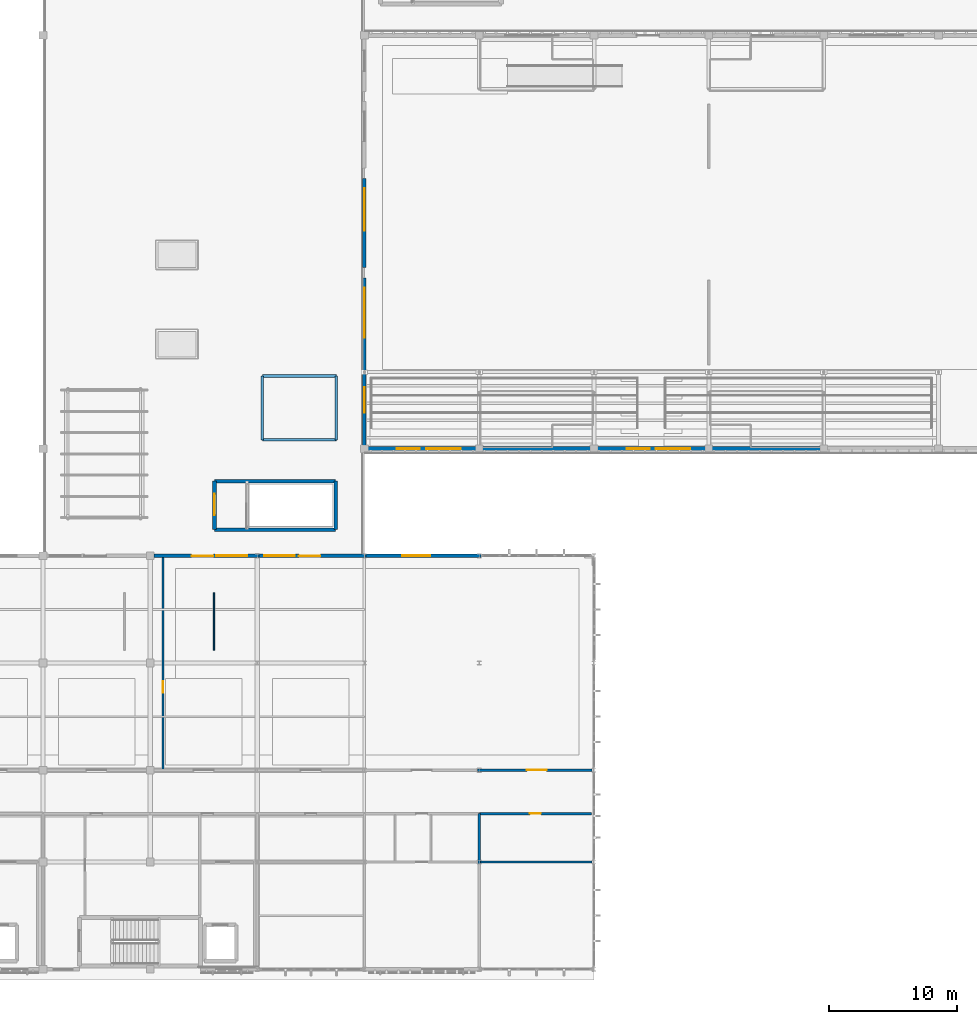
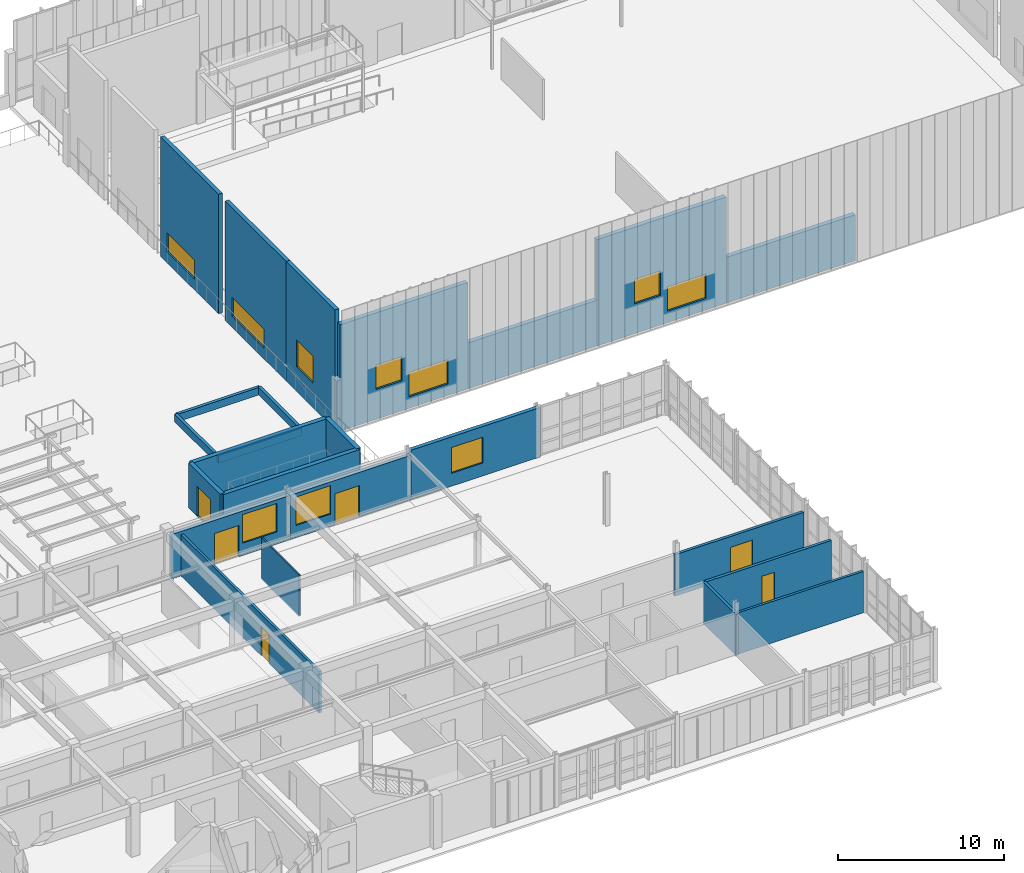
# One storey, part 45 of 67: 24 walls, 10 windows, 6 doors, 16 openings.
"""IFC4 building model written with IfcOpenShell, lengths in metres."""

from ifc_helpers import new_model, si_unit, direction, frame, frame_2d, origin, place, context, subcontext, project, spatial, rectangle, extrude, material, layer, layer_set, type_object, element, fill, save


model = new_model("IFC4")

# Units and contexts
model_context = context("Model", 3, precision=1e-05, world=origin(), true_north=direction((0.0, 1.0)))
body_context = subcontext(model_context, "Body", "Model", "MODEL_VIEW")
ifc_project = project(units=[si_unit("LENGTHUNIT", "METRE"), si_unit("AREAUNIT", "SQUARE_METRE"), si_unit("VOLUMEUNIT", "CUBIC_METRE"), si_unit("PLANEANGLEUNIT", "RADIAN"), si_unit("MASSUNIT", "GRAM", prefix="KILO")], contexts=[model_context])

# Site, building, storey
site_placement = place(None, origin())
site = spatial("IfcSite", under=ifc_project, at=site_placement, CompositionType="ELEMENT")
building_placement = place(site_placement, origin())
building = spatial("IfcBuilding", under=site, at=building_placement, Name="Tizgana Railside Sports Hall", CompositionType="ELEMENT")
storey_placement = place(building_placement, frame((0.0, 0.0, 12.0)))
storey = spatial("IfcBuildingStorey", under=building, at=storey_placement, Name="L02", CompositionType="ELEMENT", Elevation=12.0)

# Walls
ifc_material_1 = material(Name="Concrete C40/50", Category="concrete")
ifc_layer_1 = layer(ifc_material_1, 0.300048828125, Name="Concrete C40/50")
ifc_layer_set_1 = layer_set([ifc_layer_1], Name="Concrete C40/50")
wall_type_1 = type_object("IfcWallType", Name="Core Shear Wall 300", PredefinedType="SHEAR", material=ifc_layer_set_1)
for number, where, z_axis, x_axis, name in (
    (1, (77.550048828125, 34.449951171875, 0.0), (0.0, 0.0, 1.0), (-1.0, 0.0, 0.0), "L02 C10 Shaft Wall S"),
    (2, (68.050048828125, 38.25, 0.0), (0.0, 0.0, 1.0), (1.0, 0.0, 0.0), "L02 C10 Shaft Wall N"),
):
    element("IfcWall", number, at=place(storey_placement, frame(where, z_axis=z_axis, x_axis=x_axis)), inside=storey, type_object=wall_type_1, Name=name, PredefinedType="SHEAR", context=body_context, shape_type="SweptSolid", body=[
        extrude(rectangle(XDim=9.5, YDim=0.300048828125, at=frame_2d((4.75, 0.0))), origin(), (0.0, 0.0, 1.0), 3.300048828125),
    ])

# Wall, opening, door
wall_1_placement = place(storey_placement, frame((68.050048828125, 34.449951171875, 0.0), z_axis=(0.0, 0.0, 1.0), x_axis=(0.0, 1.0, 0.0)))
wall_1 = element("IfcWall", 3, at=wall_1_placement, inside=storey, type_object=wall_type_1, Name="L02 C10 Shaft Wall W", PredefinedType="SHEAR", context=body_context, shape_type="SweptSolid", body=[
    extrude(rectangle(XDim=3.800048828125, YDim=0.300048828125, at=frame_2d((1.89990234375, 0.0))), origin(), (0.0, 0.0, 1.0), 3.300048828125),
])
opening_1_placement = place(wall_1_placement, frame((1.14990234375, 0.0, 0.0)))
opening_1 = element("IfcOpeningElement", 4, at=opening_1_placement, cuts=wall_1, Name="Opening D-0101", PredefinedType="OPENING", context=body_context, shape_type="SweptSolid", body=[
    extrude(rectangle(XDim=1.64990234375, YDim=2.199951171875, at=frame_2d((0.824951171875, 1.10009765625))), frame((0.0, 0.159912109375, 0.0), z_axis=(0.0, -1.0, 0.0), x_axis=(1.0, 0.0, 0.0)), (0.0, 0.0, 1.0), 0.320068359375),
])
ifc_material_2 = material(Name="Timber fire leaf", Category="wood")
door_type_1 = type_object("IfcDoorType", Name="Stair Core Double Fire Door 1650x2200", OperationType="NOTDEFINED", PredefinedType="DOOR", material=ifc_material_2)
door_1_placement = place(opening_1_placement, origin())
door_1 = element("IfcDoor", 5, at=door_1_placement, inside=storey, type_object=door_type_1, Name="L02 Door D-0101", OperationType="DOUBLE_DOOR_SINGLE_SWING", OverallHeight=2.199951171875, OverallWidth=1.64990234375, PredefinedType="DOOR", context=body_context, shape_type="SweptSolid", body=[
    extrude(rectangle(XDim=1.64990234375, YDim=2.199951171875, at=frame_2d((0.824951171875, 1.10009765625))), frame((0.0, 0.02490234375, 0.0), z_axis=(0.0, -1.0, 0.0), x_axis=(1.0, 0.0, 0.0)), (0.0, 0.0, 1.0), 0.050048828125),
])
fill(opening_1, door_1)

# Wall
wall_2_placement = place(storey_placement, frame((77.550048828125, 34.449951171875, 0.0), z_axis=(0.0, 0.0, 1.0), x_axis=(0.0, 1.0, 0.0)))
element("IfcWall", 6, at=wall_2_placement, inside=storey, type_object=wall_type_1, Name="L02 C10 Shaft Wall E", PredefinedType="SHEAR", context=body_context, shape_type="SweptSolid", body=[
    extrude(rectangle(XDim=3.800048828125, YDim=0.300048828125, at=frame_2d((1.89990234375, 0.0))), origin(), (0.0, 0.0, 1.0), 3.300048828125),
])

# Wall, opening, door
ifc_material_3 = material(Name="Masonry blockwork", Category="masonry")
ifc_layer_2 = layer(ifc_material_3, 0.199951171875, Name="Masonry blockwork")
ifc_layer_set_2 = layer_set([ifc_layer_2], Name="Masonry blockwork")
wall_type_2 = type_object("IfcWallType", Name="Corridor Compartment Partition 200", PredefinedType="STANDARD", material=ifc_layer_set_2)
wall_3_placement = place(storey_placement, frame((88.64501953125, 15.60009765625, 0.0), z_axis=(0.0, 0.0, 1.0), x_axis=(1.0, 0.0, 0.0)))
wall_3 = element("IfcWall", 7, at=wall_3_placement, inside=storey, type_object=wall_type_2, Name="L02 Partition PWAL-0125", PredefinedType="STANDARD", context=body_context, shape_type="SweptSolid", body=[
    extrude(rectangle(XDim=8.994873046875, YDim=0.199951171875, at=frame_2d((4.49755859375, 0.0))), origin(), (0.0, 0.0, 1.0), 3.050048828125),
])
opening_2_placement = place(wall_3_placement, frame((3.8798828125, 0.0, 0.0)))
opening_2 = element("IfcOpeningElement", 8, at=opening_2_placement, cuts=wall_3, Name="Opening D-0181", PredefinedType="OPENING", context=body_context, shape_type="SweptSolid", body=[
    extrude(rectangle(XDim=1.550048828125, YDim=2.25, at=frame_2d((0.77490234375, 1.125))), frame((0.0, 0.10986328125, 0.0), z_axis=(0.0, -1.0, 0.0), x_axis=(1.0, 0.0, 0.0)), (0.0, 0.0, 1.0), 0.219970703125),
])
ifc_material_4 = material(Name="Acoustic perforated timber", Category="wood")
door_type_2 = type_object("IfcDoorType", Name="Studio Acoustic Double Door 1550x2250", OperationType="NOTDEFINED", PredefinedType="DOOR", material=ifc_material_4)
door_2_placement = place(opening_2_placement, origin())
door_2 = element("IfcDoor", 9, at=door_2_placement, inside=storey, type_object=door_type_2, Name="L02 Door D-0181", OperationType="DOUBLE_DOOR_SINGLE_SWING", OverallHeight=2.25, OverallWidth=1.550048828125, PredefinedType="DOOR", context=body_context, shape_type="SweptSolid", body=[
    extrude(rectangle(XDim=1.550048828125, YDim=2.25, at=frame_2d((0.77490234375, 1.125))), frame((0.0, 0.02490234375, 0.0), z_axis=(0.0, -1.0, 0.0), x_axis=(1.0, 0.0, 0.0)), (0.0, 0.0, 1.0), 0.050048828125),
])
fill(opening_2, door_2)

wall_4_placement = place(storey_placement, frame((88.800048828125, 12.199951171875, 0.0), z_axis=(0.0, 0.0, 1.0), x_axis=(1.0, 0.0, 0.0)))
wall_4 = element("IfcWall", 10, at=wall_4_placement, inside=storey, type_object=wall_type_2, Name="L02 Partition PWAL-0126", PredefinedType="STANDARD", context=body_context, shape_type="SweptSolid", body=[
    extrude(rectangle(XDim=8.800048828125, YDim=0.199951171875, at=frame_2d((4.39990234375, 0.0))), origin(), (0.0, 0.0, 1.0), 3.050048828125),
])
opening_3_placement = place(wall_4_placement, frame((3.9599609375, 0.0, 0.0)))
opening_3 = element("IfcOpeningElement", 11, at=opening_3_placement, cuts=wall_4, Name="Opening D-0182", PredefinedType="OPENING", context=body_context, shape_type="SweptSolid", body=[
    extrude(rectangle(XDim=0.8798828125, YDim=2.10009765625, at=frame_2d((0.43994140625, 1.050048828125))), frame((0.0, 0.10986328125, 0.0), z_axis=(0.0, -1.0, 0.0), x_axis=(1.0, 0.0, 0.0)), (0.0, 0.0, 1.0), 0.219970703125),
])
ifc_material_5 = material(Name="Solid beech timber", Category="wood")
door_type_3 = type_object("IfcDoorType", Name="Public & Staff WC Door 880x2100", OperationType="NOTDEFINED", PredefinedType="DOOR", material=ifc_material_5)
door_3_placement = place(opening_3_placement, origin())
door_3 = element("IfcDoor", 12, at=door_3_placement, inside=storey, type_object=door_type_3, Name="L02 Door D-0182", OperationType="SINGLE_SWING_LEFT", OverallHeight=2.10009765625, OverallWidth=0.8798828125, PredefinedType="DOOR", context=body_context, shape_type="SweptSolid", body=[
    extrude(rectangle(XDim=0.8798828125, YDim=2.10009765625, at=frame_2d((0.43994140625, 1.050048828125))), frame((0.0, 0.02490234375, 0.0), z_axis=(0.0, -1.0, 0.0), x_axis=(1.0, 0.0, 0.0)), (0.0, 0.0, 1.0), 0.050048828125),
])
fill(opening_3, door_3)

# Wall, openings, windows
ifc_material_6 = material(Name="Precast concrete C40/50", Category="concrete")
ifc_layer_3 = layer(ifc_material_6, 0.31005859375, Name="Precast concrete C40/50")
ifc_layer_set_3 = layer_set([ifc_layer_3], Name="Precast concrete C40/50")
wall_type_3 = type_object("IfcWallType", Name="Exterior Acoustic Hall Wall 310", PredefinedType="STANDARD", material=ifc_layer_set_3)
wall_5_placement = place(storey_placement, frame((88.75, 40.800048828125, 0.0), z_axis=(0.0, 0.0, 1.0), x_axis=(-1.0, 0.0, 0.0)))
wall_5 = element("IfcWall", 13, at=wall_5_placement, inside=storey, type_object=wall_type_3, Name="L02 Exterior Wall EWAL-0029", PredefinedType="STANDARD", context=body_context, shape_type="SweptSolid", body=[
    extrude(rectangle(XDim=8.89990234375, YDim=0.31005859375, at=frame_2d((4.449951171875, 0.0))), origin(), (0.0, 0.0, 1.0), 7.8349609375),
])
opening_4_placement = place(wall_5_placement, frame((1.39990234375, 0.0, 0.85009765625)))
opening_4 = element("IfcOpeningElement", 14, at=opening_4_placement, cuts=wall_5, Name="Opening W-0021", PredefinedType="OPENING", context=body_context, shape_type="SweptSolid", body=[
    extrude(rectangle(XDim=2.699951171875, YDim=1.800048828125, at=frame_2d((1.35009765625, 0.89990234375))), frame((0.0, 0.1650390625, 0.0), z_axis=(0.0, -1.0, 0.0), x_axis=(1.0, 0.0, 0.0)), (0.0, 0.0, 1.0), 0.330078125),
])
opening_5_placement = place(wall_5_placement, frame((4.60009765625, 0.0, 2.199951171875)))
opening_5 = element("IfcOpeningElement", 15, at=opening_5_placement, cuts=wall_5, Name="Opening W-0022", PredefinedType="OPENING", context=body_context, shape_type="SweptSolid", body=[
    extrude(rectangle(XDim=1.800048828125, YDim=1.800048828125, at=frame_2d((0.89990234375, 0.89990234375))), frame((0.0, 0.1650390625, 0.0), z_axis=(0.0, -1.0, 0.0), x_axis=(1.0, 0.0, 0.0)), (0.0, 0.0, 1.0), 0.330078125),
])
ifc_material_7 = material(Name="Double low-E laminated glass", Category="glass")
window_type_1 = type_object("IfcWindowType", Name="Upper Hall Clustered Window 1800x1800", PartitioningType="SINGLE_PANEL", PredefinedType="WINDOW", material=ifc_material_7)
window_1_placement = place(opening_5_placement, origin())
window_1 = element("IfcWindow", 16, at=window_1_placement, inside=storey, type_object=window_type_1, Name="L02 Window W-0022", OverallHeight=1.800048828125, OverallWidth=1.800048828125, PartitioningType="SINGLE_PANEL", PredefinedType="WINDOW", context=body_context, shape_type="SweptSolid", body=[
    extrude(rectangle(XDim=1.800048828125, YDim=1.800048828125, at=frame_2d((0.89990234375, 0.89990234375))), frame((0.0, 0.030029296875, 0.0), z_axis=(0.0, -1.0, 0.0), x_axis=(1.0, 0.0, 0.0)), (0.0, 0.0, 1.0), 0.06005859375),
])
fill(opening_5, window_1)
window_type_2 = type_object("IfcWindowType", Name="Upper Hall Clustered Window 2700x1800", PartitioningType="SINGLE_PANEL", PredefinedType="WINDOW", material=ifc_material_7)
window_2_placement = place(opening_4_placement, origin())
window_2 = element("IfcWindow", 17, at=window_2_placement, inside=storey, type_object=window_type_2, Name="L02 Window W-0021", OverallHeight=1.800048828125, OverallWidth=2.699951171875, PartitioningType="SINGLE_PANEL", PredefinedType="WINDOW", context=body_context, shape_type="SweptSolid", body=[
    extrude(rectangle(XDim=2.699951171875, YDim=1.800048828125, at=frame_2d((1.35009765625, 0.89990234375))), frame((0.0, 0.030029296875, 0.0), z_axis=(0.0, -1.0, 0.0), x_axis=(1.0, 0.0, 0.0)), (0.0, 0.0, 1.0), 0.06005859375),
])
fill(opening_4, window_2)

# Wall
wall_6_placement = place(storey_placement, frame((97.75, 40.800048828125, 0.0), z_axis=(0.0, 0.0, 1.0), x_axis=(-1.0, 0.0, 0.0)))
element("IfcWall", 18, at=wall_6_placement, inside=storey, type_object=wall_type_3, Name="L02 Exterior Wall EWAL-0034", PredefinedType="STANDARD", context=body_context, shape_type="SweptSolid", body=[
    extrude(rectangle(XDim=8.9951171875, YDim=0.31005859375, at=frame_2d((4.49755859375, 0.0))), origin(), (0.0, 0.0, 1.0), 3.375),
])

# Wall, openings, windows
wall_7_placement = place(storey_placement, frame((106.75, 40.800048828125, 0.0), z_axis=(0.0, 0.0, 1.0), x_axis=(-1.0, 0.0, 0.0)))
wall_7 = element("IfcWall", 19, at=wall_7_placement, inside=storey, type_object=wall_type_3, Name="L02 Exterior Wall EWAL-0038", PredefinedType="STANDARD", context=body_context, shape_type="SweptSolid", body=[
    extrude(rectangle(XDim=8.9951171875, YDim=0.31005859375, at=frame_2d((4.49755859375, 0.0))), origin(), (0.0, 0.0, 1.0), 7.8349609375),
])
opening_6_placement = place(wall_7_placement, frame((1.39990234375, 0.0, 0.85009765625)))
opening_6 = element("IfcOpeningElement", 20, at=opening_6_placement, cuts=wall_7, Name="Opening W-0029", PredefinedType="OPENING", context=body_context, shape_type="SweptSolid", body=[
    extrude(rectangle(XDim=2.699951171875, YDim=1.800048828125, at=frame_2d((1.35009765625, 0.89990234375))), frame((0.0, 0.1650390625, 0.0), z_axis=(0.0, -1.0, 0.0), x_axis=(1.0, 0.0, 0.0)), (0.0, 0.0, 1.0), 0.330078125),
])
opening_7_placement = place(wall_7_placement, frame((4.60009765625, 0.0, 2.199951171875)))
opening_7 = element("IfcOpeningElement", 21, at=opening_7_placement, cuts=wall_7, Name="Opening W-0030", PredefinedType="OPENING", context=body_context, shape_type="SweptSolid", body=[
    extrude(rectangle(XDim=1.800048828125, YDim=1.800048828125, at=frame_2d((0.89990234375, 0.89990234375))), frame((0.0, 0.1650390625, 0.0), z_axis=(0.0, -1.0, 0.0), x_axis=(1.0, 0.0, 0.0)), (0.0, 0.0, 1.0), 0.330078125),
])
window_3_placement = place(opening_7_placement, origin())
window_3 = element("IfcWindow", 22, at=window_3_placement, inside=storey, type_object=window_type_1, Name="L02 Window W-0030", OverallHeight=1.800048828125, OverallWidth=1.800048828125, PartitioningType="SINGLE_PANEL", PredefinedType="WINDOW", context=body_context, shape_type="SweptSolid", body=[
    extrude(rectangle(XDim=1.800048828125, YDim=1.800048828125, at=frame_2d((0.89990234375, 0.89990234375))), frame((0.0, 0.030029296875, 0.0), z_axis=(0.0, -1.0, 0.0), x_axis=(1.0, 0.0, 0.0)), (0.0, 0.0, 1.0), 0.06005859375),
])
fill(opening_7, window_3)
window_4_placement = place(opening_6_placement, origin())
window_4 = element("IfcWindow", 23, at=window_4_placement, inside=storey, type_object=window_type_2, Name="L02 Window W-0029", OverallHeight=1.800048828125, OverallWidth=2.699951171875, PartitioningType="SINGLE_PANEL", PredefinedType="WINDOW", context=body_context, shape_type="SweptSolid", body=[
    extrude(rectangle(XDim=2.699951171875, YDim=1.800048828125, at=frame_2d((1.35009765625, 0.89990234375))), frame((0.0, 0.030029296875, 0.0), z_axis=(0.0, -1.0, 0.0), x_axis=(1.0, 0.0, 0.0)), (0.0, 0.0, 1.0), 0.06005859375),
])
fill(opening_6, window_4)

# Wall
wall_8_placement = place(storey_placement, frame((115.75, 40.800048828125, 0.0), z_axis=(0.0, 0.0, 1.0), x_axis=(-1.0, 0.0, 0.0)))
element("IfcWall", 24, at=wall_8_placement, inside=storey, type_object=wall_type_3, Name="L02 Exterior Wall EWAL-0043", PredefinedType="STANDARD", context=body_context, shape_type="SweptSolid", body=[
    extrude(rectangle(XDim=8.9951171875, YDim=0.31005859375, at=frame_2d((4.49755859375, 0.0))), origin(), (0.0, 0.0, 1.0), 3.375),
])

# Wall, openings, door, window
ifc_layer_4 = layer(ifc_material_6, 0.27001953125, Name="Precast concrete C40/50")
ifc_layer_set_4 = layer_set([ifc_layer_4], Name="Precast concrete C40/50")
wall_type_4 = type_object("IfcWallType", Name="Exterior Studio Facade Wall 270", PredefinedType="STANDARD", material=ifc_layer_set_4)
wall_9_placement = place(storey_placement, frame((63.2900390625, 32.39990234375, 0.0), z_axis=(0.0, 0.0, 1.0), x_axis=(1.0, 0.0, 0.0)))
wall_9 = element("IfcWall", 25, at=wall_9_placement, inside=storey, type_object=wall_type_4, Name="L02 Exterior Wall EWAL-0107", PredefinedType="STANDARD", context=body_context, shape_type="SweptSolid", body=[
    extrude(rectangle(XDim=8.244873046875, YDim=0.27001953125, at=frame_2d((4.12255859375, 0.0))), origin(), (0.0, 0.0, 1.0), 3.27099609375),
])
opening_8_placement = place(wall_9_placement, frame((2.9599609375, 0.0, 0.0)))
opening_8 = element("IfcOpeningElement", 26, at=opening_8_placement, cuts=wall_9, Name="Opening D-0025", PredefinedType="OPENING", context=body_context, shape_type="SweptSolid", body=[
    extrude(rectangle(XDim=1.699951171875, YDim=2.300048828125, at=frame_2d((0.85009765625, 1.14990234375))), frame((0.0, 0.14501953125, 0.0), z_axis=(0.0, -1.0, 0.0), x_axis=(1.0, 0.0, 0.0)), (0.0, 0.0, 1.0), 0.2900390625),
])
opening_9_placement = place(wall_9_placement, frame((4.909912109375, 0.0, 0.89990234375)))
opening_9 = element("IfcOpeningElement", 27, at=opening_9_placement, cuts=wall_9, Name="Opening W-0079", PredefinedType="OPENING", context=body_context, shape_type="SweptSolid", body=[
    extrude(rectangle(XDim=2.39990234375, YDim=2.10009765625, at=frame_2d((1.199951171875, 1.050048828125))), frame((0.0, 0.14501953125, 0.0), z_axis=(0.0, -1.0, 0.0), x_axis=(1.0, 0.0, 0.0)), (0.0, 0.0, 1.0), 0.2900390625),
])
ifc_material_8 = material(Name="Anodised aluminium and glass", Category="aluminium")
door_type_4 = type_object("IfcDoorType", Name="Planted Terrace Double Door 1700x2300", OperationType="NOTDEFINED", PredefinedType="DOOR", material=ifc_material_8)
door_4_placement = place(opening_8_placement, origin())
door_4 = element("IfcDoor", 28, at=door_4_placement, inside=storey, type_object=door_type_4, Name="L02 Door D-0025", OperationType="DOUBLE_DOOR_SINGLE_SWING", OverallHeight=2.300048828125, OverallWidth=1.699951171875, PredefinedType="DOOR", context=body_context, shape_type="SweptSolid", body=[
    extrude(rectangle(XDim=1.699951171875, YDim=2.300048828125, at=frame_2d((0.85009765625, 1.14990234375))), frame((0.0, 0.02490234375, 0.0), z_axis=(0.0, -1.0, 0.0), x_axis=(1.0, 0.0, 0.0)), (0.0, 0.0, 1.0), 0.050048828125),
])
fill(opening_8, door_4)
window_type_3 = type_object("IfcWindowType", Name="Studio Recessed Window 2400x2100", PartitioningType="SINGLE_PANEL", PredefinedType="WINDOW", material=ifc_material_7)
window_5_placement = place(opening_9_placement, origin())
window_5 = element("IfcWindow", 29, at=window_5_placement, inside=storey, type_object=window_type_3, Name="L02 Window W-0079", OverallHeight=2.10009765625, OverallWidth=2.39990234375, PartitioningType="SINGLE_PANEL", PredefinedType="WINDOW", context=body_context, shape_type="SweptSolid", body=[
    extrude(rectangle(XDim=2.39990234375, YDim=2.10009765625, at=frame_2d((1.199951171875, 1.050048828125))), frame((0.0, 0.030029296875, 0.0), z_axis=(0.0, -1.0, 0.0), x_axis=(1.0, 0.0, 0.0)), (0.0, 0.0, 1.0), 0.06005859375),
])
fill(opening_9, window_5)

wall_10_placement = place(storey_placement, frame((71.5400390625, 32.39990234375, 0.0), z_axis=(0.0, 0.0, 1.0), x_axis=(1.0, 0.0, 0.0)))
wall_10 = element("IfcWall", 30, at=wall_10_placement, inside=storey, type_object=wall_type_4, Name="L02 Exterior Wall EWAL-0108", PredefinedType="STANDARD", context=body_context, shape_type="SweptSolid", body=[
    extrude(rectangle(XDim=8.39501953125, YDim=0.27001953125, at=frame_2d((4.197509765625, 0.0))), origin(), (0.0, 0.0, 1.0), 3.27099609375),
])
opening_10_placement = place(wall_10_placement, frame((3.110107421875, 0.0, 0.0)))
opening_10 = element("IfcOpeningElement", 31, at=opening_10_placement, cuts=wall_10, Name="Opening D-0026", PredefinedType="OPENING", context=body_context, shape_type="SweptSolid", body=[
    extrude(rectangle(XDim=1.699951171875, YDim=2.300048828125, at=frame_2d((0.85009765625, 1.14990234375))), frame((0.0, 0.14501953125, 0.0), z_axis=(0.0, -1.0, 0.0), x_axis=(1.0, 0.0, 0.0)), (0.0, 0.0, 1.0), 0.2900390625),
])
opening_11_placement = place(wall_10_placement, frame((0.409912109375, 0.0, 0.89990234375)))
opening_11 = element("IfcOpeningElement", 32, at=opening_11_placement, cuts=wall_10, Name="Opening W-0080", PredefinedType="OPENING", context=body_context, shape_type="SweptSolid", body=[
    extrude(rectangle(XDim=2.39990234375, YDim=2.10009765625, at=frame_2d((1.199951171875, 1.050048828125))), frame((0.0, 0.14501953125, 0.0), z_axis=(0.0, -1.0, 0.0), x_axis=(1.0, 0.0, 0.0)), (0.0, 0.0, 1.0), 0.2900390625),
])
door_5_placement = place(opening_10_placement, origin())
door_5 = element("IfcDoor", 33, at=door_5_placement, inside=storey, type_object=door_type_4, Name="L02 Door D-0026", OperationType="DOUBLE_DOOR_SINGLE_SWING", OverallHeight=2.300048828125, OverallWidth=1.699951171875, PredefinedType="DOOR", context=body_context, shape_type="SweptSolid", body=[
    extrude(rectangle(XDim=1.699951171875, YDim=2.300048828125, at=frame_2d((0.85009765625, 1.14990234375))), frame((0.0, 0.02490234375, 0.0), z_axis=(0.0, -1.0, 0.0), x_axis=(1.0, 0.0, 0.0)), (0.0, 0.0, 1.0), 0.050048828125),
])
fill(opening_10, door_5)
window_6_placement = place(opening_11_placement, origin())
window_6 = element("IfcWindow", 34, at=window_6_placement, inside=storey, type_object=window_type_3, Name="L02 Window W-0080", OverallHeight=2.10009765625, OverallWidth=2.39990234375, PartitioningType="SINGLE_PANEL", PredefinedType="WINDOW", context=body_context, shape_type="SweptSolid", body=[
    extrude(rectangle(XDim=2.39990234375, YDim=2.10009765625, at=frame_2d((1.199951171875, 1.050048828125))), frame((0.0, 0.030029296875, 0.0), z_axis=(0.0, -1.0, 0.0), x_axis=(1.0, 0.0, 0.0)), (0.0, 0.0, 1.0), 0.06005859375),
])
fill(opening_11, window_6)

# Wall, opening, window
wall_11_placement = place(storey_placement, frame((79.93994140625, 32.39990234375, 0.0), z_axis=(0.0, 0.0, 1.0), x_axis=(1.0, 0.0, 0.0)))
wall_11 = element("IfcWall", 35, at=wall_11_placement, inside=storey, type_object=wall_type_4, Name="L02 Exterior Wall EWAL-0109", PredefinedType="STANDARD", context=body_context, shape_type="SweptSolid", body=[
    extrude(rectangle(XDim=9.01513671875, YDim=0.27001953125, at=frame_2d((4.507568359375, 0.0))), origin(), (0.0, 0.0, 1.0), 3.639892578125),
])
opening_12_placement = place(wall_11_placement, frame((2.81005859375, 0.0, 0.949951171875)))
opening_12 = element("IfcOpeningElement", 36, at=opening_12_placement, cuts=wall_11, Name="Opening W-0081", PredefinedType="OPENING", context=body_context, shape_type="SweptSolid", body=[
    extrude(rectangle(XDim=2.199951171875, YDim=1.89990234375, at=frame_2d((1.10009765625, 0.949951171875))), frame((0.0, 0.14501953125, 0.0), z_axis=(0.0, -1.0, 0.0), x_axis=(1.0, 0.0, 0.0)), (0.0, 0.0, 1.0), 0.2900390625),
])
window_type_4 = type_object("IfcWindowType", Name="Clinic Double Window 2200x1900", PartitioningType="SINGLE_PANEL", PredefinedType="WINDOW", material=ifc_material_7)
window_7_placement = place(opening_12_placement, origin())
window_7 = element("IfcWindow", 37, at=window_7_placement, inside=storey, type_object=window_type_4, Name="L02 Window W-0081", OverallHeight=1.89990234375, OverallWidth=2.199951171875, PartitioningType="SINGLE_PANEL", PredefinedType="WINDOW", context=body_context, shape_type="SweptSolid", body=[
    extrude(rectangle(XDim=2.199951171875, YDim=1.89990234375, at=frame_2d((1.10009765625, 0.949951171875))), frame((0.0, 0.030029296875, 0.0), z_axis=(0.0, -1.0, 0.0), x_axis=(1.0, 0.0, 0.0)), (0.0, 0.0, 1.0), 0.06005859375),
])
fill(opening_12, window_7)

wall_12_placement = place(storey_placement, frame((79.800048828125, 46.85498046875, 0.0), z_axis=(0.0, 0.0, 1.0), x_axis=(0.0, -1.0, 0.0)))
wall_12 = element("IfcWall", 38, at=wall_12_placement, inside=storey, type_object=wall_type_4, Name="L02 Exterior Wall EWAL-0143", PredefinedType="STANDARD", context=body_context, shape_type="SweptSolid", body=[
    extrude(rectangle(XDim=5.89501953125, YDim=0.27001953125, at=frame_2d((2.947509765625, 0.0))), origin(), (0.0, 0.0, 1.0), 8.800048828125),
])
opening_13_placement = place(wall_12_placement, frame((1.2548828125, 0.0, 1.800048828125)))
opening_13 = element("IfcOpeningElement", 39, at=opening_13_placement, cuts=wall_12, Name="Opening W-0122", PredefinedType="OPENING", context=body_context, shape_type="SweptSolid", body=[
    extrude(rectangle(XDim=2.0, YDim=2.0, at=frame_2d((1.0, 1.0))), frame((0.0, 0.14501953125, 0.0), z_axis=(0.0, -1.0, 0.0), x_axis=(1.0, 0.0, 0.0)), (0.0, 0.0, 1.0), 0.2900390625),
])
window_type_5 = type_object("IfcWindowType", Name="Coaching Corner Window 2000x2000", PartitioningType="SINGLE_PANEL", PredefinedType="WINDOW", material=ifc_material_7)
window_8_placement = place(opening_13_placement, origin())
window_8 = element("IfcWindow", 40, at=window_8_placement, inside=storey, type_object=window_type_5, Name="L02 Window W-0122", OverallHeight=2.0, OverallWidth=2.0, PartitioningType="SINGLE_PANEL", PredefinedType="WINDOW", context=body_context, shape_type="SweptSolid", body=[
    extrude(rectangle(XDim=2.0, YDim=2.0, at=frame_2d((1.0, 1.0))), frame((0.0, 0.030029296875, 0.0), z_axis=(0.0, -1.0, 0.0), x_axis=(1.0, 0.0, 0.0)), (0.0, 0.0, 1.0), 0.06005859375),
])
fill(opening_13, window_8)

wall_13_placement = place(storey_placement, frame((79.800048828125, 54.199951171875, 0.0), z_axis=(0.0, 0.0, 1.0), x_axis=(0.0, -1.0, 0.0)))
wall_13 = element("IfcWall", 41, at=wall_13_placement, inside=storey, type_object=wall_type_4, Name="L02 Exterior Wall EWAL-0144", PredefinedType="STANDARD", context=body_context, shape_type="SweptSolid", body=[
    extrude(rectangle(XDim=7.33984375, YDim=0.27001953125, at=frame_2d((3.669921875, 0.0))), origin(), (0.0, 0.0, 1.0), 8.800048828125),
])
opening_14_placement = place(wall_13_placement, frame((0.800048828125, 0.0, 0.800048828125)))
opening_14 = element("IfcOpeningElement", 42, at=opening_14_placement, cuts=wall_13, Name="Opening W-0123", PredefinedType="OPENING", context=body_context, shape_type="SweptSolid", body=[
    extrude(rectangle(XDim=3.89990234375, YDim=1.39990234375, at=frame_2d((1.949951171875, 0.699951171875))), frame((0.0, 0.14501953125, 0.0), z_axis=(0.0, -1.0, 0.0), x_axis=(1.0, 0.0, 0.0)), (0.0, 0.0, 1.0), 0.2900390625),
])
window_type_6 = type_object("IfcWindowType", Name="Foyer Clerestory Window 3900x1400", PartitioningType="SINGLE_PANEL", PredefinedType="WINDOW", material=ifc_material_7)
window_9_placement = place(opening_14_placement, origin())
window_9 = element("IfcWindow", 43, at=window_9_placement, inside=storey, type_object=window_type_6, Name="L02 Window W-0123", OverallHeight=1.39990234375, OverallWidth=3.89990234375, PartitioningType="SINGLE_PANEL", PredefinedType="WINDOW", context=body_context, shape_type="SweptSolid", body=[
    extrude(rectangle(XDim=3.89990234375, YDim=1.39990234375, at=frame_2d((1.949951171875, 0.699951171875))), frame((0.0, 0.030029296875, 0.0), z_axis=(0.0, -1.0, 0.0), x_axis=(1.0, 0.0, 0.0)), (0.0, 0.0, 1.0), 0.06005859375),
])
fill(opening_14, window_9)

wall_14_placement = place(storey_placement, frame((79.800048828125, 62.0, 0.0), z_axis=(0.0, 0.0, 1.0), x_axis=(0.0, -1.0, 0.0)))
wall_14 = element("IfcWall", 44, at=wall_14_placement, inside=storey, type_object=wall_type_4, Name="L02 Exterior Wall EWAL-0145", PredefinedType="STANDARD", context=body_context, shape_type="SweptSolid", body=[
    extrude(rectangle(XDim=7.0, YDim=0.27001953125, at=frame_2d((3.5, 0.0))), origin(), (0.0, 0.0, 1.0), 8.800048828125),
])
opening_15_placement = place(wall_14_placement, frame((0.800048828125, 0.0, 0.800048828125)))
opening_15 = element("IfcOpeningElement", 45, at=opening_15_placement, cuts=wall_14, Name="Opening W-0124", PredefinedType="OPENING", context=body_context, shape_type="SweptSolid", body=[
    extrude(rectangle(XDim=3.300048828125, YDim=1.39990234375, at=frame_2d((1.64990234375, 0.699951171875))), frame((0.0, 0.14501953125, 0.0), z_axis=(0.0, -1.0, 0.0), x_axis=(1.0, 0.0, 0.0)), (0.0, 0.0, 1.0), 0.2900390625),
])
window_type_7 = type_object("IfcWindowType", Name="Passage Clerestory Window 3300x1400", PartitioningType="SINGLE_PANEL", PredefinedType="WINDOW", material=ifc_material_7)
window_10_placement = place(opening_15_placement, origin())
window_10 = element("IfcWindow", 46, at=window_10_placement, inside=storey, type_object=window_type_7, Name="L02 Window W-0124", OverallHeight=1.39990234375, OverallWidth=3.300048828125, PartitioningType="SINGLE_PANEL", PredefinedType="WINDOW", context=body_context, shape_type="SweptSolid", body=[
    extrude(rectangle(XDim=3.300048828125, YDim=1.39990234375, at=frame_2d((1.64990234375, 0.699951171875))), frame((0.0, 0.030029296875, 0.0), z_axis=(0.0, -1.0, 0.0), x_axis=(1.0, 0.0, 0.0)), (0.0, 0.0, 1.0), 0.06005859375),
])
fill(opening_15, window_10)

# Walls
ifc_material_9 = material(Name="Acoustic gypsum stud")
ifc_layer_5 = layer(ifc_material_9, 0.10009765625, Name="Acoustic gypsum stud")
ifc_layer_set_5 = layer_set([ifc_layer_5], Name="Acoustic gypsum stud")
wall_type_5 = type_object("IfcWallType", Name="Locker Alcove Partition 100", PredefinedType="STANDARD", material=ifc_layer_set_5)
wall_15_placement = place(storey_placement, frame((68.0, 25.0, 0.0), z_axis=(0.0, 0.0, 1.0), x_axis=(0.0, 1.0, 0.0)))
element("IfcWall", 47, at=wall_15_placement, inside=storey, type_object=wall_type_5, Name="L02 Partition PWAL-0151", PredefinedType="STANDARD", context=body_context, shape_type="SweptSolid", body=[
    extrude(rectangle(XDim=4.5, YDim=0.10009765625, at=frame_2d((2.25, 0.0))), origin(), (0.0, 0.0, 1.0), 3.050048828125),
])
ifc_material_10 = material(Name="Concrete C35/45", Category="concrete")
ifc_layer_6 = layer(ifc_material_10, 0.2099609375, Name="Concrete C35/45")
ifc_layer_set_6 = layer_set([ifc_layer_6], Name="Concrete C35/45")
wall_type_6 = type_object("IfcWallType", Name="Roof Parapet Upstand 210", PredefinedType="PARAPET", material=ifc_layer_set_6)
wall_16_placement = place(storey_placement, frame((71.800048828125, 41.5, 0.0), z_axis=(0.0, 0.0, 1.0), x_axis=(1.0, 0.0, 0.0)))
element("IfcWall", 48, at=wall_16_placement, inside=storey, type_object=wall_type_6, Name="L02 Roof Garden Planter Kerb", PredefinedType="PARAPET", context=body_context, shape_type="SweptSolid", body=[
    extrude(rectangle(XDim=5.800048828125, YDim=0.2099609375, at=frame_2d((2.89990234375, 0.0))), origin(), (0.0, 0.0, 1.0), 0.550048828125),
])
wall_17_placement = place(storey_placement, frame((77.60009765625, 41.5, 0.0), z_axis=(0.0, 0.0, 1.0), x_axis=(0.0, 1.0, 0.0)))
element("IfcWall", 49, at=wall_17_placement, inside=storey, type_object=wall_type_6, Name="L02 Roof Garden Planter Kerb", PredefinedType="PARAPET", context=body_context, shape_type="SweptSolid", body=[
    extrude(rectangle(XDim=5.0, YDim=0.2099609375, at=frame_2d((2.5, 0.0))), origin(), (0.0, 0.0, 1.0), 0.550048828125),
])
wall_18_placement = place(storey_placement, frame((77.60009765625, 46.5, 0.0), z_axis=(0.0, 0.0, 1.0), x_axis=(-1.0, 0.0, 0.0)))
element("IfcWall", 50, at=wall_18_placement, inside=storey, type_object=wall_type_6, Name="L02 Roof Garden Planter Kerb", PredefinedType="PARAPET", context=body_context, shape_type="SweptSolid", body=[
    extrude(rectangle(XDim=5.800048828125, YDim=0.2099609375, at=frame_2d((2.89990234375, 0.0))), origin(), (0.0, 0.0, 1.0), 0.550048828125),
])
wall_19_placement = place(storey_placement, frame((71.800048828125, 46.5, 0.0), z_axis=(0.0, 0.0, 1.0), x_axis=(0.0, -1.0, 0.0)))
element("IfcWall", 51, at=wall_19_placement, inside=storey, type_object=wall_type_6, Name="L02 Roof Garden Planter Kerb", PredefinedType="PARAPET", context=body_context, shape_type="SweptSolid", body=[
    extrude(rectangle(XDim=5.0, YDim=0.2099609375, at=frame_2d((2.5, 0.0))), origin(), (0.0, 0.0, 1.0), 0.550048828125),
])

# Wall, opening, door
ifc_layer_7 = layer(ifc_material_9, 0.169921875, Name="Acoustic gypsum stud")
ifc_layer_set_7 = layer_set([ifc_layer_7], Name="Acoustic gypsum stud")
wall_type_7 = type_object("IfcWallType", Name="Studio Acoustic Partition 170", PredefinedType="STANDARD", material=ifc_layer_set_7)
wall_20_placement = place(storey_placement, frame((64.0, 15.60009765625, 0.0), z_axis=(0.0, 0.0, 1.0), x_axis=(0.0, 1.0, 0.0)))
wall_20 = element("IfcWall", 52, at=wall_20_placement, inside=storey, type_object=wall_type_7, Name="L02 Partition PWAL-0128", PredefinedType="STANDARD", context=body_context, shape_type="SweptSolid", body=[
    extrude(rectangle(XDim=16.659912109375, YDim=0.169921875, at=frame_2d((8.330078125, 0.0))), origin(), (0.0, 0.0, 1.0), 3.050048828125),
])
opening_16_placement = place(wall_20_placement, frame((6.06494140625, 0.0, 0.0)))
opening_16 = element("IfcOpeningElement", 53, at=opening_16_placement, cuts=wall_20, Name="Opening D-0184", PredefinedType="OPENING", context=body_context, shape_type="SweptSolid", body=[
    extrude(rectangle(XDim=0.919921875, YDim=2.14990234375, at=frame_2d((0.4599609375, 1.074951171875))), frame((0.0, 0.094970703125, 0.0), z_axis=(0.0, -1.0, 0.0), x_axis=(1.0, 0.0, 0.0)), (0.0, 0.0, 1.0), 0.18994140625),
])
door_type_5 = type_object("IfcDoorType", Name="Consultation & Coaching Door 920x2150", OperationType="NOTDEFINED", PredefinedType="DOOR", material=ifc_material_5)
door_6_placement = place(opening_16_placement, origin())
door_6 = element("IfcDoor", 54, at=door_6_placement, inside=storey, type_object=door_type_5, Name="L02 Door D-0184", OperationType="SINGLE_SWING_LEFT", OverallHeight=2.14990234375, OverallWidth=0.919921875, PredefinedType="DOOR", context=body_context, shape_type="SweptSolid", body=[
    extrude(rectangle(XDim=0.919921875, YDim=2.14990234375, at=frame_2d((0.4599609375, 1.074951171875))), frame((0.0, 0.02490234375, 0.0), z_axis=(0.0, -1.0, 0.0), x_axis=(1.0, 0.0, 0.0)), (0.0, 0.0, 1.0), 0.050048828125),
])
fill(opening_16, door_6)

# Walls
wall_21_placement = place(storey_placement, frame((88.800048828125, 8.2451171875, 0.0), z_axis=(0.0, 0.0, 1.0), x_axis=(0.0, 1.0, 0.0)))
element("IfcWall", 55, at=wall_21_placement, inside=storey, type_object=wall_type_7, Name="L02 Partition PWAL-0140", PredefinedType="STANDARD", context=body_context, shape_type="SweptSolid", body=[
    extrude(rectangle(XDim=3.954833984375, YDim=0.169921875, at=frame_2d((1.9775390625, 0.0))), origin(), (0.0, 0.0, 1.0), 3.050048828125),
])
wall_22_placement = place(storey_placement, frame((88.715087890625, 8.39990234375, 0.0), z_axis=(0.0, 0.0, 1.0), x_axis=(1.0, 0.0, 0.0)))
element("IfcWall", 56, at=wall_22_placement, inside=storey, type_object=wall_type_7, Name="L02 Partition PWAL-0143", PredefinedType="STANDARD", context=body_context, shape_type="SweptSolid", body=[
    extrude(rectangle(XDim=8.9248046875, YDim=0.169921875, at=frame_2d((4.46240234375, 0.0))), origin(), (0.0, 0.0, 1.0), 3.050048828125),
])

save(model, "model.ifc")
